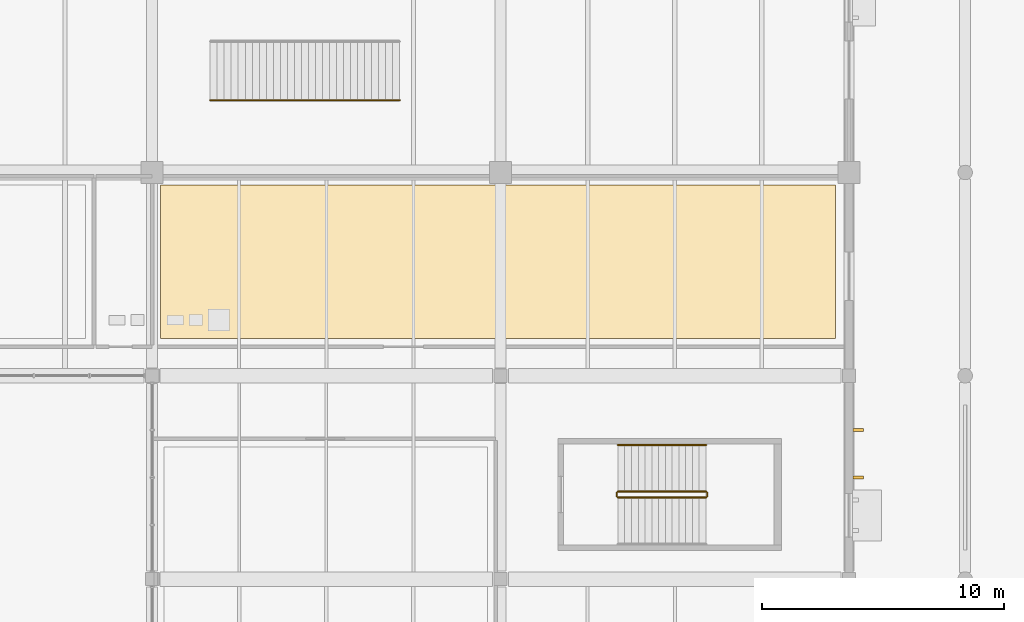
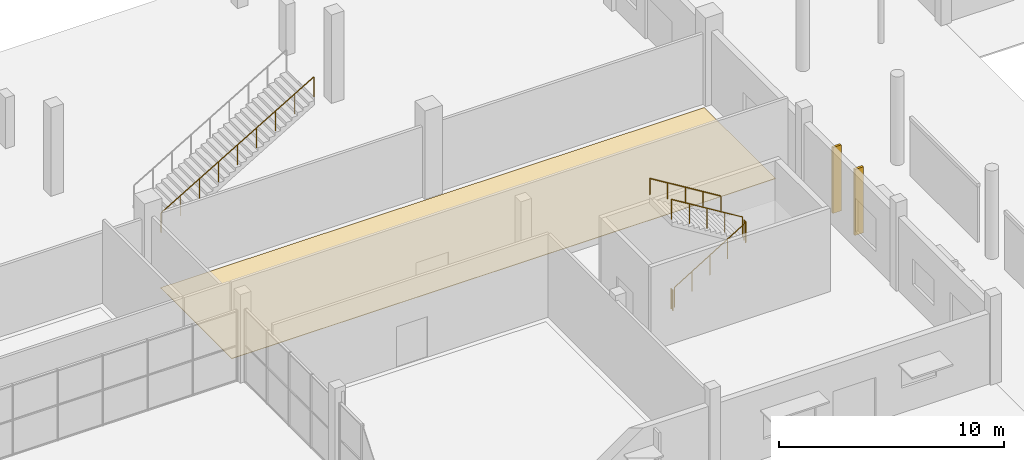
# One storey, part 115 of 130: 6 railings, 2 shading devices, 1 covering.
"""IFC4 building model written with IfcOpenShell, lengths in metres."""

from ifc_helpers import new_model, si_unit, direction, frame, origin, origin_2d, place, context, subcontext, project, spatial, polyline, rectangle, circle, outline, extrude, material, layer, layer_set, type_object, element, save


model = new_model("IFC4")

# Units and contexts
model_context = context("Model", 3, precision=1e-05, world=origin(), true_north=direction((0.0, 1.0)))
body_context = subcontext(model_context, "Body", "Model", "MODEL_VIEW")
ifc_project = project(units=[si_unit("LENGTHUNIT", "METRE"), si_unit("AREAUNIT", "SQUARE_METRE"), si_unit("VOLUMEUNIT", "CUBIC_METRE"), si_unit("PLANEANGLEUNIT", "RADIAN"), si_unit("MASSUNIT", "GRAM", prefix="KILO"), si_unit("THERMODYNAMICTEMPERATUREUNIT", "KELVIN")], contexts=[model_context])

# Site, building, storey
site_placement = place(None, origin())
site = spatial("IfcSite", under=ifc_project, at=site_placement, CompositionType="ELEMENT")
building_placement = place(site_placement, origin())
building = spatial("IfcBuilding", under=site, at=building_placement, Name="Nduvali Passage Aquatics Centre", CompositionType="ELEMENT")
storey_placement = place(building_placement, origin())
storey = spatial("IfcBuildingStorey", under=building, at=storey_placement, Name="L00", CompositionType="ELEMENT", Elevation=0.0)

# Shading devices
ifc_material_1 = material(Name="Glulam GL28h", Category="wood")
shading_device_type = type_object("IfcShadingDeviceType", Name="ENV-SHD-FIN1", PredefinedType="USERDEFINED", material=ifc_material_1)
for number, where, z_axis, x_axis, name in (
    (1, (126.375, 12.60009765625, 0.2001953125), (0.0, 0.0, 1.0), (0.0, 1.0, 0.0), "L00 Vertical Glulam Facade Fin 0020"),
    (2, (126.375, 14.5625, 0.2001953125), (0.0, 0.0, 1.0), (0.0, 1.0, 0.0), "L00 Vertical Glulam Facade Fin 0021"),
):
    element("IfcShadingDevice", number, at=place(storey_placement, frame(where, z_axis=z_axis, x_axis=x_axis)), inside=storey, type_object=shading_device_type, Name=name, ObjectType="VERTICAL FIN", PredefinedType="USERDEFINED", context=body_context, shape_type="SweptSolid", body=[
        extrude(rectangle(XDim=0.1201171875, YDim=0.43994140625, at=origin_2d()), origin(), (0.0, 0.0, 1.0), 3.576416015625),
    ])

# Covering
ifc_material_2 = material(Name="Anti-slip ceramic pool deck tile")
ifc_layer = layer(ifc_material_2, 0.02490234375, Name="Anti-slip ceramic pool deck tile")
ifc_layer_set = layer_set([ifc_layer], Name="Anti-slip ceramic pool deck tile")
covering_type = type_object("IfcCoveringType", Name="INT-COV-TILE", PredefinedType="FLOORING", material=ifc_layer_set)
covering_placement = place(storey_placement, origin())
element("IfcCovering", 3, at=covering_placement, inside=storey, type_object=covering_type, Name="L00 Community Wet Changing Village East Floor Finish", PredefinedType="FLOORING", context=body_context, shape_type="SweptSolid", body=[
    extrude(outline(polyline([(97.550048828125, 18.35009765625), (125.449951171875, 18.35009765625), (125.449951171875, 24.68994140625), (97.550048828125, 24.68994140625), (97.550048828125, 18.35009765625)])), origin(), (0.0, 0.0, 1.0), 0.02490234375),
])

# Railings
ifc_material_3 = material(Name="Stainless steel balustrade", Category="steel")
railing_type_1 = type_object("IfcRailingType", Name="INT-RLG-GRD110", PredefinedType="GUARDRAIL", material=ifc_material_3)
railing_1_placement = place(storey_placement, frame((116.449951171875, 11.77001953125, 0.17138671875)))
element("IfcRailing", 4, at=railing_1_placement, inside=storey, type_object=railing_type_1, Name="L00 ST6 stair guard 1", PredefinedType="GUARDRAIL", context=body_context, shape_type="SweptSolid", body=[
    extrude(circle(Radius=0.02392578125, at=origin_2d()), frame((0.0, 0.0, 1.076171875), z_axis=(0.852865859571, 0.0, 0.52213008492), x_axis=(0.0, 1.0, 0.0)), (0.0, 0.0, 1.0), 4.26806640625),
    extrude(circle(Radius=0.02099609375, at=origin_2d()), origin(), (0.0, 0.0, 1.0), 1.052001953125),
    extrude(circle(Radius=0.02099609375, at=origin_2d()), frame((0.91015625, 0.0, 0.55712890625)), (0.0, 0.0, 1.0), 1.052001953125),
    extrude(circle(Radius=0.02099609375, at=origin_2d()), frame((1.820068359375, 0.0, 1.1142578125)), (0.0, 0.0, 1.0), 1.052001953125),
    extrude(circle(Radius=0.02099609375, at=origin_2d()), frame((2.72998046875, 0.0, 1.67138671875)), (0.0, 0.0, 1.0), 1.052001953125),
    extrude(circle(Radius=0.02099609375, at=origin_2d()), frame((3.64013671875, 0.0, 2.228515625)), (0.0, 0.0, 1.0), 1.052001953125),
])
railing_2_placement = place(storey_placement, frame((120.139892578125, 11.820068359375, 2.39990234375)))
element("IfcRailing", 5, at=railing_2_placement, inside=storey, type_object=railing_type_1, Name="L00 ST6 stair guard 2", PredefinedType="GUARDRAIL", context=body_context, shape_type="SweptSolid", body=[
    extrude(circle(Radius=0.02392578125, at=origin_2d()), frame((0.0, 0.0, 1.076171875), z_axis=(0.0, 1.0, 0.0), x_axis=(-1.0, 0.0, 0.0)), (0.0, 0.0, 1.0), 0.14990234375),
    extrude(circle(Radius=0.02099609375, at=origin_2d()), origin(), (0.0, 0.0, 1.0), 1.052001953125),
    extrude(circle(Radius=0.02099609375, at=origin_2d()), frame((0.0, 0.14990234375, 0.0)), (0.0, 0.0, 1.0), 1.052001953125),
])
railing_3_placement = place(storey_placement, frame((120.090087890625, 12.02001953125, 2.571533203125)))
element("IfcRailing", 6, at=railing_3_placement, inside=storey, type_object=railing_type_1, Name="L00 ST6 stair guard 3", PredefinedType="GUARDRAIL", context=body_context, shape_type="SweptSolid", body=[
    extrude(circle(Radius=0.02392578125, at=origin_2d()), frame((0.0, 0.0, 1.076171875), z_axis=(-0.852865859571, 0.0, 0.52213008492), x_axis=(0.0, -1.0, 0.0)), (0.0, 0.0, 1.0), 4.26806640625),
    extrude(circle(Radius=0.02099609375, at=origin_2d()), origin(), (0.0, 0.0, 1.0), 1.052001953125),
    extrude(circle(Radius=0.02099609375, at=origin_2d()), frame((-0.91015625, 0.0, 0.55712890625)), (0.0, 0.0, 1.0), 1.052001953125),
    extrude(circle(Radius=0.02099609375, at=origin_2d()), frame((-1.820068359375, 0.0, 1.1142578125)), (0.0, 0.0, 1.0), 1.052001953125),
    extrude(circle(Radius=0.02099609375, at=origin_2d()), frame((-2.72998046875, 0.0, 1.67138671875)), (0.0, 0.0, 1.0), 1.052001953125),
    extrude(circle(Radius=0.02099609375, at=origin_2d()), frame((-3.64013671875, 0.0, 2.228515625)), (0.0, 0.0, 1.0), 1.052001953125),
])
railing_4_placement = place(storey_placement, frame((116.39990234375, 11.820068359375, 0.0)))
element("IfcRailing", 7, at=railing_4_placement, inside=storey, type_object=railing_type_1, Name="L00 ST6 stair guard 4", PredefinedType="GUARDRAIL", context=body_context, shape_type="SweptSolid", body=[
    extrude(circle(Radius=0.02392578125, at=origin_2d()), frame((0.0, 0.0, 1.076171875), z_axis=(0.0, 1.0, 0.0), x_axis=(-1.0, 0.0, 0.0)), (0.0, 0.0, 1.0), 0.14990234375),
    extrude(circle(Radius=0.02099609375, at=origin_2d()), origin(), (0.0, 0.0, 1.0), 1.052001953125),
    extrude(circle(Radius=0.02099609375, at=origin_2d()), frame((0.0, 0.14990234375, 0.0)), (0.0, 0.0, 1.0), 1.052001953125),
])
railing_5_placement = place(storey_placement, frame((99.60009765625, 28.18505859375, 0.17138671875)))
element("IfcRailing", 8, at=railing_5_placement, inside=storey, type_object=railing_type_1, Name="Vomitory VST3 Guardrail 1", PredefinedType="GUARDRAIL", context=body_context, shape_type="SweptSolid", body=[
    extrude(circle(Radius=0.02392578125, at=origin_2d()), frame((0.0, 0.0, 1.076171875), z_axis=(0.860833000102, 0.0, 0.508887557261), x_axis=(0.0, 1.0, 0.0)), (0.0, 0.0, 1.0), 9.095703125),
    extrude(circle(Radius=0.02099609375, at=origin_2d()), origin(), (0.0, 0.0, 1.0), 1.052001953125),
    extrude(circle(Radius=0.02099609375, at=origin_2d()), frame((0.978759765625, 0.0, 0.57861328125)), (0.0, 0.0, 1.0), 1.052001953125),
    extrude(circle(Radius=0.02099609375, at=origin_2d()), frame((1.95751953125, 0.0, 1.1572265625)), (0.0, 0.0, 1.0), 1.052001953125),
    extrude(circle(Radius=0.02099609375, at=origin_2d()), frame((2.936279296875, 0.0, 1.73583984375)), (0.0, 0.0, 1.0), 1.052001953125),
    extrude(circle(Radius=0.02099609375, at=origin_2d()), frame((3.9150390625, 0.0, 2.314453125)), (0.0, 0.0, 1.0), 1.052001953125),
    extrude(circle(Radius=0.02099609375, at=origin_2d()), frame((4.8935546875, 0.0, 2.892822265625)), (0.0, 0.0, 1.0), 1.052001953125),
    extrude(circle(Radius=0.02099609375, at=origin_2d()), frame((5.872314453125, 0.0, 3.471435546875)), (0.0, 0.0, 1.0), 1.052001953125),
    extrude(circle(Radius=0.02099609375, at=origin_2d()), frame((6.85107421875, 0.0, 4.050048828125)), (0.0, 0.0, 1.0), 1.052001953125),
    extrude(circle(Radius=0.02099609375, at=origin_2d()), frame((7.829833984375, 0.0, 4.628662109375)), (0.0, 0.0, 1.0), 1.052001953125),
])
railing_type_2 = type_object("IfcRailingType", Name="INT-RLG-HND90", PredefinedType="HANDRAIL", material=ifc_material_3)
railing_6_placement = place(storey_placement, frame((120.090087890625, 13.93994140625, 2.746337890625)))
element("IfcRailing", 9, at=railing_6_placement, inside=storey, type_object=railing_type_2, Name="L00 ST6 stair handrail 2", PredefinedType="HANDRAIL", context=body_context, shape_type="SweptSolid", body=[
    extrude(circle(Radius=0.02392578125, at=origin_2d()), frame((0.0, 0.0, 0.8759765625), z_axis=(-0.852865859571, 0.0, 0.52213008492), x_axis=(0.0, -1.0, 0.0)), (0.0, 0.0, 1.0), 4.26806640625),
    extrude(circle(Radius=0.02099609375, at=origin_2d()), origin(), (0.0, 0.0, 1.0), 0.851806640625),
    extrude(circle(Radius=0.02099609375, at=origin_2d()), frame((-0.91015625, 0.0, 0.55712890625)), (0.0, 0.0, 1.0), 0.851806640625),
    extrude(circle(Radius=0.02099609375, at=origin_2d()), frame((-1.820068359375, 0.0, 1.1142578125)), (0.0, 0.0, 1.0), 0.851806640625),
    extrude(circle(Radius=0.02099609375, at=origin_2d()), frame((-2.72998046875, 0.0, 1.67138671875)), (0.0, 0.0, 1.0), 0.851806640625),
    extrude(circle(Radius=0.02099609375, at=origin_2d()), frame((-3.64013671875, 0.0, 2.228515625)), (0.0, 0.0, 1.0), 0.851806640625),
])

save(model, "model.ifc")
